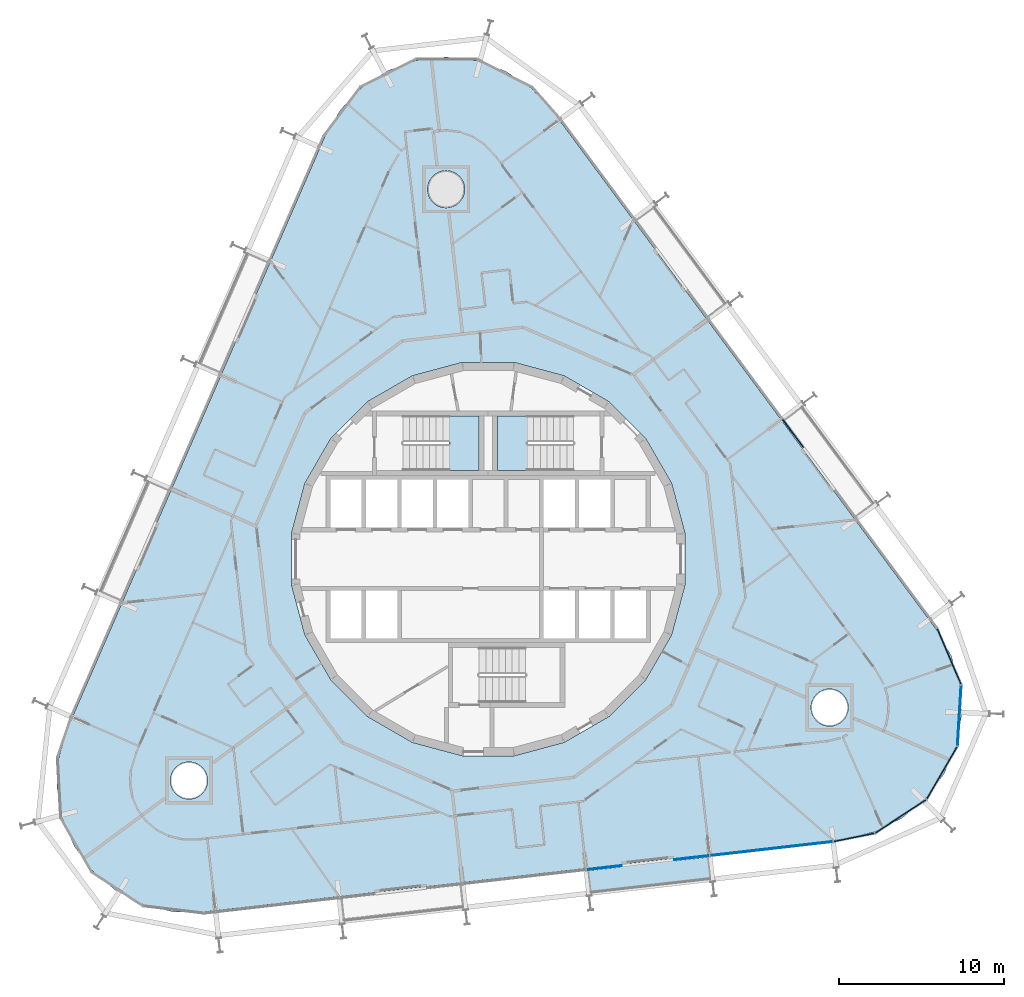
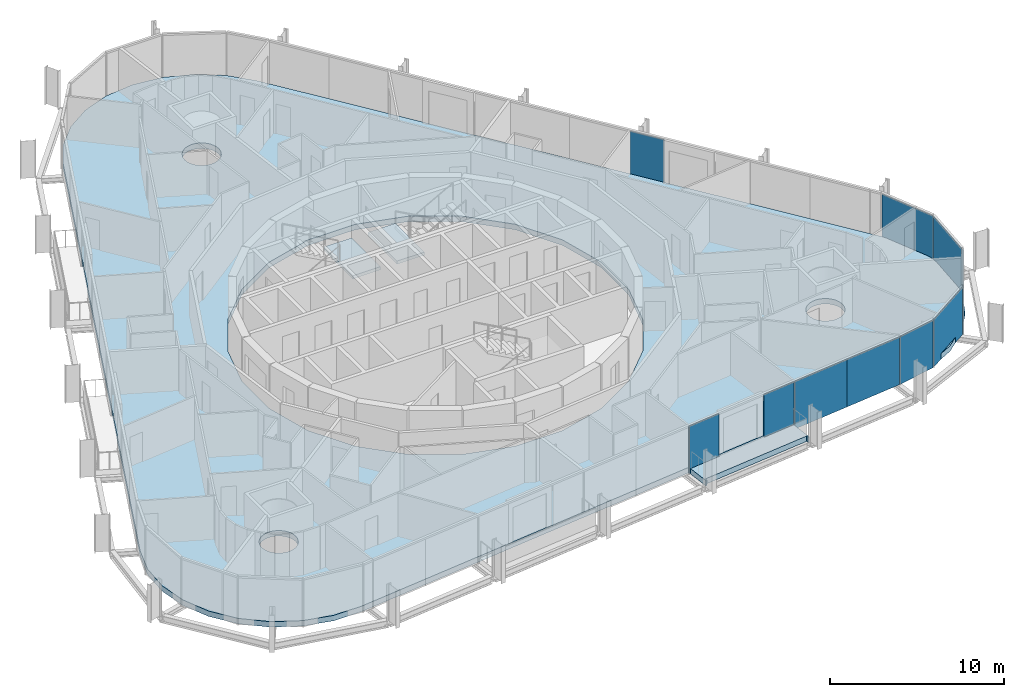
# One storey, part 14 of 23: 10 plates, 4 slabs, 5 elements without a shape of their own.
"""IFC4 building model written with IfcOpenShell, lengths in metres."""

from ifc_helpers import new_model, si_unit, direction, frame, origin, origin_2d, place, context, subcontext, project, spatial, polyline, rectangle, outline, extrude, material, layer, layer_set, type_object, element, aggregate, save


model = new_model("IFC4")

# Units and contexts
model_context = context("Model", 3, precision=1e-05, world=origin(), true_north=direction((0.0, 1.0)))
body_context = subcontext(model_context, "Body", "Model", "MODEL_VIEW")
ifc_project = project(units=[si_unit("LENGTHUNIT", "METRE"), si_unit("AREAUNIT", "SQUARE_METRE"), si_unit("VOLUMEUNIT", "CUBIC_METRE"), si_unit("PLANEANGLEUNIT", "RADIAN"), si_unit("MASSUNIT", "GRAM", prefix="KILO")], contexts=[model_context])

# Site, building, storey
site_placement = place(None, origin())
site = spatial("IfcSite", under=ifc_project, at=site_placement, CompositionType="ELEMENT")
building_placement = place(site_placement, origin())
building = spatial("IfcBuilding", under=site, at=building_placement, Name="Spindle Arch Residences", CompositionType="ELEMENT")
storey_placement = place(building_placement, frame((0.0, 0.0, 104.699951171875)))
storey = spatial("IfcBuildingStorey", under=building, at=storey_placement, Name="L25", CompositionType="ELEMENT", Elevation=104.699951171875)

# Slab
ifc_material_1 = material(Name="Concrete C40/50", Category="concrete")
ifc_layer_1 = layer(ifc_material_1, 0.3798828125)
ifc_layer_set_1 = layer_set([ifc_layer_1], Name="Balcony slab 380")
slab_type_1 = type_object("IfcSlabType", Name="Balcony slab 380", PredefinedType="FLOOR", material=ifc_layer_set_1)
slab_1_placement = place(storey_placement, frame((0.0, 0.0, -0.3798828125)))
element("IfcSlab", 1, at=slab_1_placement, inside=storey, type_object=slab_type_1, Name="Balcony L25 bay 1", PredefinedType="FLOOR", context=body_context, shape_type="SweptSolid", body=[
    extrude(outline(polyline([(6.176513671875, -20.339111328125), (6.2509765625, -20.33056640625), (6.234130859375, -20.181640625), (13.406494140625, -19.3642578125), (13.423583984375, -19.513427734375), (13.498046875, -19.5048828125), (13.329345703125, -18.0244140625), (11.25830078125, -18.260498046875), (11.240234375, -18.1015625), (8.060791015625, -18.463623046875), (8.078857421875, -18.62255859375), (6.0078125, -18.858642578125), (6.176513671875, -20.339111328125)])), origin(), (0.0, 0.0, 1.0), 0.3798828125),
])

# Stair, slab
ifc_material_2 = material(Name="Concrete C50/60", Category="concrete")
stair_type = type_object("IfcStairType", Name="Exit stair 16 risers", PredefinedType="HALF_TURN_STAIR", material=ifc_material_2)
stair_1_placement = place(storey_placement, origin())
stair_1 = element("IfcStair", 2, at=stair_1_placement, inside=storey, type_object=stair_type, Name="L25 Exit stair ST1", PredefinedType="HALF_TURN_STAIR")
ifc_material_3 = material(Name="Concrete C50/60", Category="concrete")
ifc_layer_2 = layer(ifc_material_3, 0.219970703125)
ifc_layer_set_2 = layer_set([ifc_layer_2], Name="Exit stair landing 220")
slab_type_2 = type_object("IfcSlabType", Name="Exit stair landing 220", PredefinedType="LANDING", material=ifc_layer_set_2)
slab_2_placement = place(storey_placement, frame((0.0, 0.0, 1.530029296875)))
slab_2 = element("IfcSlab", 3, at=slab_2_placement, type_object=slab_type_2, Name="ST1 landing 1", PredefinedType="LANDING", context=body_context, shape_type="SweptSolid", body=[
    extrude(outline(polyline([(2.3701171875, 8.669921875), (0.550048828125, 8.669921875), (0.550048828125, 5.35009765625), (2.3701171875, 5.35009765625), (2.3701171875, 8.669921875)])), origin(), (0.0, 0.0, 1.0), 0.219970703125),
])
aggregate(stair_1, [slab_2])

stair_2_placement = place(storey_placement, origin())
stair_2 = element("IfcStair", 4, at=stair_2_placement, inside=storey, type_object=stair_type, Name="L25 Exit stair ST2", PredefinedType="HALF_TURN_STAIR")
slab_3_placement = place(storey_placement, frame((0.0, 0.0, 1.530029296875)))
slab_3 = element("IfcSlab", 5, at=slab_3_placement, type_object=slab_type_2, Name="ST2 landing 1", PredefinedType="LANDING", context=body_context, shape_type="SweptSolid", body=[
    extrude(outline(polyline([(-2.3701171875, 5.35009765625), (-0.550048828125, 5.35009765625), (-0.550048828125, 8.669921875), (-2.3701171875, 8.669921875), (-2.3701171875, 5.35009765625)])), origin(), (0.0, 0.0, 1.0), 0.219970703125),
])
aggregate(stair_2, [slab_3])

# Slab
ifc_material_4 = material(Name="Concrete C40/50", Category="concrete")
ifc_layer_3 = layer(ifc_material_4, 0.3798828125)
ifc_layer_set_3 = layer_set([ifc_layer_3], Name="Floor slab 380")
slab_type_3 = type_object("IfcSlabType", Name="Floor slab 380", PredefinedType="FLOOR", material=ifc_layer_set_3)
slab_4_placement = place(storey_placement, frame((0.0, 0.0, -0.3798828125)))
element("IfcSlab", 6, at=slab_4_placement, inside=storey, type_object=slab_type_3, Name="Floor slab L25", PredefinedType="FLOOR", context=body_context, shape_type="SweptSolid", body=[
    extrude(outline(polyline([(-19.05078125, -21.335693359375), (-20.85693359375, -20.902099609375), (-22.514404296875, -20.0634765625), (-23.933837890625, -18.865478515625), (-25.038818359375, -17.372314453125), (-25.769287109375, -15.66455078125), (-26.086669921875, -13.83447265625), (-25.973388671875, -11.98046875), (-25.435302734375, -10.202392578125), (-9.88525390625, 25.560302734375), (-8.951904296875, 27.166259765625), (-7.673095703125, 28.513671875), (-6.118408203125, 29.52978515625), (-4.37109375, 30.159912109375), (-2.525390625, 30.370361328125), (-0.68115234375, 30.1494140625), (1.0625, 29.5087890625), (2.611328125, 28.483642578125), (3.882080078125, 27.12890625), (27.07861328125, -4.21923828125), (28.002685546875, -5.83056640625), (28.530029296875, -7.611572265625), (28.6328125, -9.46630859375), (28.304931640625, -11.294677734375), (27.564208984375, -12.998046875), (26.45068359375, -14.484619140625), (25.0244140625, -15.674560546875), (23.36181640625, -16.50341796875), (21.55322265625, -16.926513671875), (2.179931640625, -19.1337890625), (-17.193115234375, -21.341064453125), (-19.05078125, -21.335693359375)]), holes=[polyline([(7.30517578125, -9.520263671875), (9.520263671875, -7.30517578125), (11.086669921875, -4.59228515625), (11.897216796875, -1.56640625), (11.897216796875, 1.56640625), (11.086669921875, 4.59228515625), (9.520263671875, 7.30517578125), (7.30517578125, 9.520263671875), (4.59228515625, 11.086669921875), (1.56640625, 11.897216796875), (-1.56640625, 11.897216796875), (-4.59228515625, 11.086669921875), (-7.30517578125, 9.520263671875), (-9.520263671875, 7.30517578125), (-11.086669921875, 4.59228515625), (-11.897216796875, 1.56640625), (-11.897216796875, -1.56640625), (-11.086669921875, -4.59228515625), (-9.520263671875, -7.30517578125), (-7.30517578125, -9.520263671875), (-4.59228515625, -11.086669921875), (-1.56640625, -11.897216796875), (1.56640625, -11.897216796875), (4.59228515625, -11.086669921875), (7.30517578125, -9.520263671875)]), polyline([(-17.303466796875, -14.18798828125), (-17.16357421875, -14.017578125), (-17.0595703125, -13.822998046875), (-16.99560546875, -13.612060546875), (-16.973876953125, -13.392578125), (-16.99560546875, -13.173095703125), (-17.0595703125, -12.9619140625), (-17.16357421875, -12.767578125), (-17.303466796875, -12.596923828125), (-17.473876953125, -12.45703125), (-17.66845703125, -12.35302734375), (-17.87939453125, -12.2890625), (-18.098876953125, -12.267578125), (-18.318359375, -12.2890625), (-18.529296875, -12.35302734375), (-18.723876953125, -12.45703125), (-18.894287109375, -12.596923828125), (-19.0341796875, -12.767578125), (-19.13818359375, -12.9619140625), (-19.202392578125, -13.173095703125), (-19.223876953125, -13.392578125), (-19.202392578125, -13.612060546875), (-19.13818359375, -13.822998046875), (-19.0341796875, -14.017578125), (-18.894287109375, -14.18798828125), (-18.723876953125, -14.327880859375), (-18.529296875, -14.431884765625), (-18.318359375, -14.495849609375), (-18.098876953125, -14.517578125), (-17.87939453125, -14.495849609375), (-17.66845703125, -14.431884765625), (-17.473876953125, -14.327880859375), (-17.303466796875, -14.18798828125)]), polyline([(-1.75341796875, 21.57470703125), (-1.61328125, 21.745361328125), (-1.509521484375, 21.939697265625), (-1.4453125, 22.15087890625), (-1.423828125, 22.370361328125), (-1.4453125, 22.58984375), (-1.509521484375, 22.80078125), (-1.61328125, 22.995361328125), (-1.75341796875, 23.165771484375), (-1.923828125, 23.3056640625), (-2.118408203125, 23.40966796875), (-2.329345703125, 23.4736328125), (-2.548828125, 23.495361328125), (-2.768310546875, 23.4736328125), (-2.979248046875, 23.40966796875), (-3.173828125, 23.3056640625), (-3.34423828125, 23.165771484375), (-3.484130859375, 22.995361328125), (-3.588134765625, 22.80078125), (-3.652099609375, 22.58984375), (-3.673828125, 22.370361328125), (-3.652099609375, 22.15087890625), (-3.588134765625, 21.939697265625), (-3.484130859375, 21.745361328125), (-3.34423828125, 21.57470703125), (-3.173828125, 21.434814453125), (-2.979248046875, 21.330810546875), (-2.768310546875, 21.266845703125), (-2.548828125, 21.245361328125), (-2.329345703125, 21.266845703125), (-2.118408203125, 21.330810546875), (-1.923828125, 21.434814453125), (-1.75341796875, 21.57470703125)]), polyline([(21.443115234375, -9.773193359375), (21.5830078125, -9.602783203125), (21.68701171875, -9.408203125), (21.7509765625, -9.197265625), (21.772705078125, -8.977783203125), (21.7509765625, -8.75830078125), (21.68701171875, -8.54736328125), (21.5830078125, -8.352783203125), (21.443115234375, -8.182373046875), (21.272705078125, -8.04248046875), (21.078125, -7.9384765625), (20.8671875, -7.87451171875), (20.647705078125, -7.852783203125), (20.427978515625, -7.87451171875), (20.217041015625, -7.9384765625), (20.022705078125, -8.04248046875), (19.85205078125, -8.182373046875), (19.712158203125, -8.352783203125), (19.608154296875, -8.54736328125), (19.544189453125, -8.75830078125), (19.522705078125, -8.977783203125), (19.544189453125, -9.197265625), (19.608154296875, -9.408203125), (19.712158203125, -9.602783203125), (19.85205078125, -9.773193359375), (20.022705078125, -9.9130859375), (20.217041015625, -10.01708984375), (20.427978515625, -10.081298828125), (20.647705078125, -10.102783203125), (20.8671875, -10.081298828125), (21.078125, -10.01708984375), (21.272705078125, -9.9130859375), (21.443115234375, -9.773193359375)])]), origin(), (0.0, 0.0, 1.0), 0.3798828125),
])

# Curtain wall, plates
ifc_material_5 = material(Name="Aluminium bronze unitised frame with tinted glass", Category="aluminium")
ifc_layer_4 = layer(ifc_material_5, 0.159912109375)
ifc_layer_set_4 = layer_set([ifc_layer_4], Name="CW-D corner wall on the fillet arcs")
curtain_wall_type_1 = type_object("IfcCurtainWallType", Name="CW-D corner wall on the fillet arcs", PredefinedType="NOTDEFINED", material=ifc_layer_set_4)
curtain_wall_1_placement = place(storey_placement, origin())
curtain_wall_1 = element("IfcCurtainWall", 7, at=curtain_wall_1_placement, inside=storey, type_object=curtain_wall_type_1, Name="CW-D L25 run 1", PredefinedType="NOTDEFINED")
ifc_material_6 = material(Name="Tinted double glazing over aluminium faced non-combustible spandrel zone (K0)", Category="aluminium")
ifc_layer_5 = layer(ifc_material_6, 0.06005859375)
ifc_layer_set_5 = layer_set([ifc_layer_5], Name="Unitised glass panel with E 60 spandrel zone")
plate_type = type_object("IfcPlateType", Name="Unitised glass panel with E 60 spandrel zone", PredefinedType="CURTAIN_PANEL", material=ifc_layer_set_5)
plate_1_placement = place(storey_placement, frame((22.127197265625, -16.83203125, -0.3798828125), z_axis=(0.0, 0.0, 1.0), x_axis=(0.980430998553, 0.196863041416, 0.0)))
plate_1 = element("IfcPlate", 8, at=plate_1_placement, type_object=plate_type, Name="CW-D unit 00", PredefinedType="CURTAIN_PANEL", context=body_context, shape_type="SweptSolid", body=[
    extrude(rectangle(XDim=2.51416015625, YDim=0.06005859375, at=origin_2d()), origin(), (0.0, 0.0, 1.0), 3.31005859375),
])
plate_2_placement = place(storey_placement, frame((24.948974609375, -15.55908203125, -0.3798828125), z_axis=(0.0, 0.0, 1.0), x_axis=(0.83708272954, 0.547076323657, 0.0)))
plate_2 = element("IfcPlate", 9, at=plate_2_placement, type_object=plate_type, Name="CW-D unit 01", PredefinedType="CURTAIN_PANEL", context=body_context, shape_type="SweptSolid", body=[
    extrude(rectangle(XDim=3.666748046875, YDim=0.06005859375, at=origin_2d()), origin(), (0.0, 0.0, 1.0), 3.31005859375),
])
plate_3_placement = place(storey_placement, frame((27.445068359375, -12.9287109375, -0.3798828125), z_axis=(0.0, 0.0, 1.0), x_axis=(0.502517045345, 0.864567301682, 0.0)))
plate_3 = element("IfcPlate", 10, at=plate_3_placement, type_object=plate_type, Name="CW-D unit 02", PredefinedType="CURTAIN_PANEL", context=body_context, shape_type="SweptSolid", body=[
    extrude(rectangle(XDim=3.666748046875, YDim=0.06005859375, at=origin_2d()), origin(), (0.0, 0.0, 1.0), 3.31005859375),
])
plate_4_placement = place(storey_placement, frame((28.4951171875, -9.457763671875, -0.3798828125), z_axis=(0.0, 0.0, 1.0), x_axis=(0.06104853612, 0.998134798631, 0.0)))
plate_4 = element("IfcPlate", 11, at=plate_4_placement, type_object=plate_type, Name="CW-D unit 03", PredefinedType="CURTAIN_PANEL", context=body_context, shape_type="SweptSolid", body=[
    extrude(rectangle(XDim=3.666748046875, YDim=0.06005859375, at=origin_2d()), origin(), (0.0, 0.0, 1.0), 3.31005859375),
])
plate_5_placement = place(storey_placement, frame((27.8759765625, -5.884765625, -0.3798828125), z_axis=(0.0, 0.0, 1.0), x_axis=(-0.393407112882, 0.919364369298, 0.0)))
plate_5 = element("IfcPlate", 12, at=plate_5_placement, type_object=plate_type, Name="CW-D unit 04", PredefinedType="CURTAIN_PANEL", context=body_context, shape_type="SweptSolid", body=[
    extrude(rectangle(XDim=3.666748046875, YDim=0.06005859375, at=origin_2d()), origin(), (0.0, 0.0, 1.0), 3.31005859375),
])
aggregate(curtain_wall_1, [plate_1, plate_2, plate_3, plate_4, plate_5])

# Curtain wall, plate
ifc_material_7 = material(Name="Aluminium bronze unitised frame with tinted glass", Category="aluminium")
ifc_layer_6 = layer(ifc_material_7, 0.159912109375)
ifc_layer_set_6 = layer_set([ifc_layer_6], Name="CW-C typical residential unitised wall")
curtain_wall_type_2 = type_object("IfcCurtainWallType", Name="CW-C typical residential unitised wall", PredefinedType="NOTDEFINED", material=ifc_layer_set_6)
curtain_wall_2_placement = place(storey_placement, origin())
curtain_wall_2 = element("IfcCurtainWall", 13, at=curtain_wall_2_placement, inside=storey, type_object=curtain_wall_type_2, Name="CW-C L25 run 2", PredefinedType="NOTDEFINED")
plate_6_placement = place(storey_placement, frame((18.431884765625, 7.600341796875, -0.3798828125), z_axis=(0.0, 0.0, 1.0), x_axis=(-0.594822786751, 0.803856860617, 0.0)))
plate_6 = element("IfcPlate", 14, at=plate_6_placement, type_object=plate_type, Name="CW-C unit 06R", PredefinedType="CURTAIN_PANEL", context=body_context, shape_type="SweptSolid", body=[
    extrude(rectangle(XDim=2.12939453125, YDim=0.06005859375, at=origin_2d()), origin(), (0.0, 0.0, 1.0), 3.31005859375),
])
aggregate(curtain_wall_2, [plate_6])

# Curtain wall, plates
curtain_wall_3_placement = place(storey_placement, origin())
curtain_wall_3 = element("IfcCurtainWall", 15, at=curtain_wall_3_placement, inside=storey, type_object=curtain_wall_type_2, Name="CW-C L25 run 6", PredefinedType="NOTDEFINED")
plate_7_placement = place(storey_placement, frame((7.011962890625, -18.663818359375, -0.3798828125), z_axis=(0.0, 0.0, 1.0), x_axis=(0.993571855677, 0.113203213768, 0.0)))
plate_7 = element("IfcPlate", 16, at=plate_7_placement, type_object=plate_type, Name="CW-C unit 00L", PredefinedType="CURTAIN_PANEL", context=body_context, shape_type="SweptSolid", body=[
    extrude(rectangle(XDim=2.12939453125, YDim=0.06005859375, at=origin_2d()), origin(), (0.0, 0.0, 1.0), 3.31005859375),
])
plate_8_placement = place(storey_placement, frame((12.30712890625, -18.060302734375, -0.3798828125), z_axis=(0.0, 0.0, 1.0), x_axis=(0.993571855677, 0.113203213768, 0.0)))
plate_8 = element("IfcPlate", 17, at=plate_8_placement, type_object=plate_type, Name="CW-C unit 00R", PredefinedType="CURTAIN_PANEL", context=body_context, shape_type="SweptSolid", body=[
    extrude(rectangle(XDim=2.12939453125, YDim=0.06005859375, at=origin_2d()), origin(), (0.0, 0.0, 1.0), 3.31005859375),
])
plate_9_placement = place(storey_placement, frame((15.27734375, -17.721923828125, -0.3798828125), z_axis=(0.0, 0.0, 1.0), x_axis=(0.993571855677, 0.113203213768, 0.0)))
plate_9 = element("IfcPlate", 18, at=plate_9_placement, type_object=plate_type, Name="CW-C unit 01A", PredefinedType="CURTAIN_PANEL", context=body_context, shape_type="SweptSolid", body=[
    extrude(rectangle(XDim=3.7294921875, YDim=0.06005859375, at=origin_2d()), origin(), (0.0, 0.0, 1.0), 3.31005859375),
])
plate_10_placement = place(storey_placement, frame((18.982666015625, -17.2998046875, -0.3798828125), z_axis=(0.0, 0.0, 1.0), x_axis=(0.993571855677, 0.113203213768, 0.0)))
plate_10 = element("IfcPlate", 19, at=plate_10_placement, type_object=plate_type, Name="CW-C unit 01B", PredefinedType="CURTAIN_PANEL", context=body_context, shape_type="SweptSolid", body=[
    extrude(rectangle(XDim=3.7294921875, YDim=0.06005859375, at=origin_2d()), origin(), (0.0, 0.0, 1.0), 3.31005859375),
])
aggregate(curtain_wall_3, [plate_7, plate_8, plate_9, plate_10])

save(model, "model.ifc")
